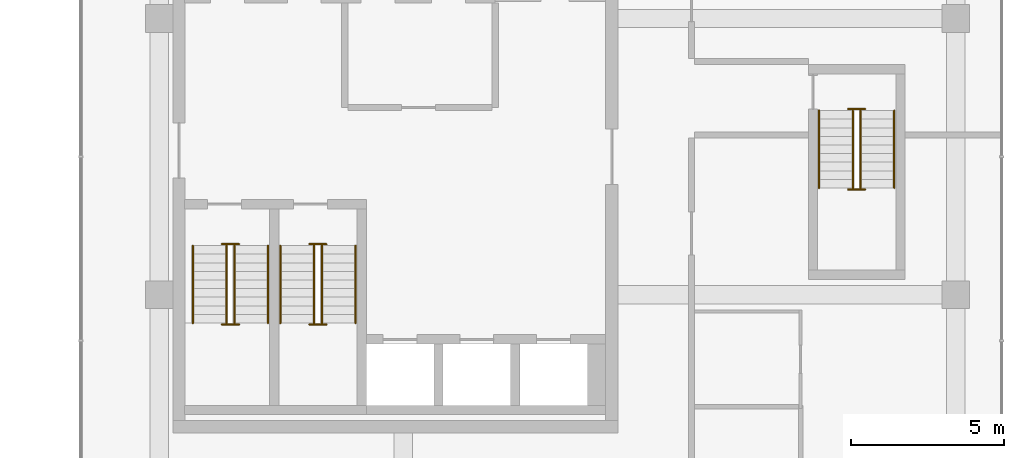
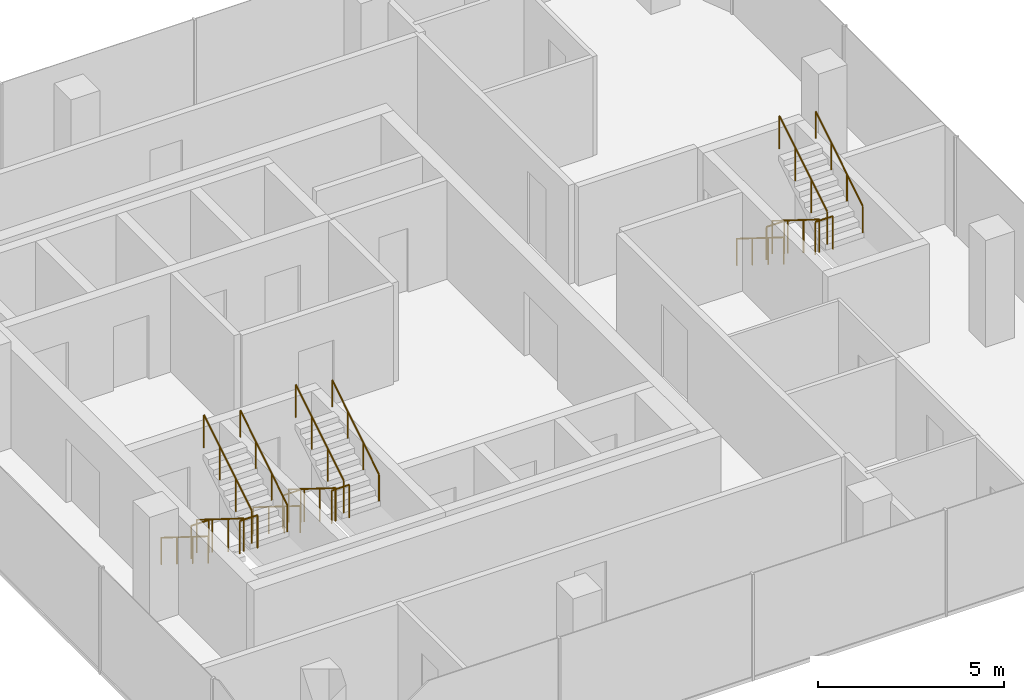
# One storey, part 22 of 22: 18 railings.
"""IFC4 building model written with IfcOpenShell, lengths in metres."""

from ifc_helpers import new_model, si_unit, direction, frame, origin, origin_2d, place, context, subcontext, project, spatial, circle, extrude, material, type_object, element, save


model = new_model("IFC4")

# Units and contexts
model_context = context("Model", 3, precision=1e-05, world=origin(), true_north=direction((0.0, 1.0)))
body_context = subcontext(model_context, "Body", "Model", "MODEL_VIEW")
ifc_project = project(units=[si_unit("LENGTHUNIT", "METRE"), si_unit("AREAUNIT", "SQUARE_METRE"), si_unit("VOLUMEUNIT", "CUBIC_METRE"), si_unit("PLANEANGLEUNIT", "RADIAN"), si_unit("MASSUNIT", "GRAM", prefix="KILO")], contexts=[model_context])

# Site, building, storey
site_placement = place(None, origin())
site = spatial("IfcSite", under=ifc_project, at=site_placement, CompositionType="ELEMENT")
building_placement = place(site_placement, origin())
building = spatial("IfcBuilding", under=site, at=building_placement, Name="Plateau Cross Towers", CompositionType="ELEMENT")
storey_placement = place(building_placement, frame((0.0, 0.0, 102.800048828125)))
storey = spatial("IfcBuildingStorey", under=building, at=storey_placement, Name="L26", CompositionType="ELEMENT", Elevation=102.800048828125)

# Railings
ifc_material_1 = material(Name="Stainless steel and toughened glass", Category="steel")
railing_type_1 = type_object("IfcRailingType", Name="RL-GUARD-1100", PredefinedType="GUARDRAIL", material=ifc_material_1)
railing_1_placement = place(storey_placement, frame((76.75, 6.10009765625, 0.175048828125)))
element("IfcRailing", 1, at=railing_1_placement, inside=storey, type_object=railing_type_1, Name="L26 SB-1 stair guard 1", PredefinedType="GUARDRAIL", context=body_context, shape_type="SweptSolid", body=[
    extrude(circle(Radius=0.02392578125, at=origin_2d()), frame((0.0, 0.0, 1.076171875), z_axis=(0.0, -0.848007534815, 0.529984170421), x_axis=(1.0, 0.0, 0.0)), (0.0, 0.0, 1.0), 2.9716796875),
    extrude(circle(Radius=0.02099609375, at=origin_2d()), origin(), (0.0, 0.0, 1.0), 1.052001953125),
    extrude(circle(Radius=0.02099609375, at=origin_2d()), frame((0.0, -0.840087890625, 0.52490234375)), (0.0, 0.0, 1.0), 1.052001953125),
    extrude(circle(Radius=0.02099609375, at=origin_2d()), frame((0.0, -1.679931640625, 1.050048828125)), (0.0, 0.0, 1.0), 1.052001953125),
    extrude(circle(Radius=0.02099609375, at=origin_2d()), frame((0.0, -2.52001953125, 1.574951171875)), (0.0, 0.0, 1.0), 1.052001953125),
])
railing_2_placement = place(storey_placement, frame((76.60009765625, 3.530029296875, 1.75)))
element("IfcRailing", 2, at=railing_2_placement, inside=storey, type_object=railing_type_1, Name="L26 SB-1 stair guard 2", PredefinedType="GUARDRAIL", context=body_context, shape_type="SweptSolid", body=[
    extrude(circle(Radius=0.02392578125, at=origin_2d()), frame((0.0, 0.0, 1.076171875), z_axis=(1.0, 0.0, 0.0), x_axis=(0.0, 1.0, 0.0)), (0.0, 0.0, 1.0), 0.5498046875),
    extrude(circle(Radius=0.02099609375, at=origin_2d()), origin(), (0.0, 0.0, 1.0), 1.052001953125),
    extrude(circle(Radius=0.02099609375, at=origin_2d()), frame((0.5498046875, 0.0, 0.0)), (0.0, 0.0, 1.0), 1.052001953125),
])
railing_3_placement = place(storey_placement, frame((77.0, 3.580078125, 1.925048828125)))
element("IfcRailing", 3, at=railing_3_placement, inside=storey, type_object=railing_type_1, Name="L26 SB-1 stair guard 3", PredefinedType="GUARDRAIL", context=body_context, shape_type="SweptSolid", body=[
    extrude(circle(Radius=0.02392578125, at=origin_2d()), frame((0.0, 0.0, 1.076171875), z_axis=(0.0, 0.852616386126, 0.522537365276), x_axis=(-1.0, 0.0, 0.0)), (0.0, 0.0, 1.0), 3.01416015625),
    extrude(circle(Radius=0.02099609375, at=origin_2d()), origin(), (0.0, 0.0, 1.0), 1.052001953125),
    extrude(circle(Radius=0.02099609375, at=origin_2d()), frame((0.0, 0.856689453125, 0.52490234375)), (0.0, 0.0, 1.0), 1.052001953125),
    extrude(circle(Radius=0.02099609375, at=origin_2d()), frame((0.0, 1.713134765625, 1.050048828125)), (0.0, 0.0, 1.0), 1.052001953125),
    extrude(circle(Radius=0.02099609375, at=origin_2d()), frame((0.0, 2.56982421875, 1.574951171875)), (0.0, 0.0, 1.0), 1.052001953125),
])
railing_4_placement = place(storey_placement, frame((76.60009765625, 6.14990234375, 0.0)))
element("IfcRailing", 4, at=railing_4_placement, inside=storey, type_object=railing_type_1, Name="L26 SB-1 stair guard 4", PredefinedType="GUARDRAIL", context=body_context, shape_type="SweptSolid", body=[
    extrude(circle(Radius=0.02392578125, at=origin_2d()), frame((0.0, 0.0, 1.076171875), z_axis=(1.0, 0.0, 0.0), x_axis=(0.0, 1.0, 0.0)), (0.0, 0.0, 1.0), 0.5498046875),
    extrude(circle(Radius=0.02099609375, at=origin_2d()), origin(), (0.0, 0.0, 1.0), 1.052001953125),
    extrude(circle(Radius=0.02099609375, at=origin_2d()), frame((0.5498046875, 0.0, 0.0)), (0.0, 0.0, 1.0), 1.052001953125),
])
railing_5_placement = place(storey_placement, frame((79.60009765625, 6.10009765625, 0.175048828125)))
element("IfcRailing", 5, at=railing_5_placement, inside=storey, type_object=railing_type_1, Name="L26 SB-2 stair guard 1", PredefinedType="GUARDRAIL", context=body_context, shape_type="SweptSolid", body=[
    extrude(circle(Radius=0.02392578125, at=origin_2d()), frame((0.0, 0.0, 1.076171875), z_axis=(0.0, -0.848007534815, 0.529984170421), x_axis=(1.0, 0.0, 0.0)), (0.0, 0.0, 1.0), 2.9716796875),
    extrude(circle(Radius=0.02099609375, at=origin_2d()), origin(), (0.0, 0.0, 1.0), 1.052001953125),
    extrude(circle(Radius=0.02099609375, at=origin_2d()), frame((0.0, -0.840087890625, 0.52490234375)), (0.0, 0.0, 1.0), 1.052001953125),
    extrude(circle(Radius=0.02099609375, at=origin_2d()), frame((0.0, -1.679931640625, 1.050048828125)), (0.0, 0.0, 1.0), 1.052001953125),
    extrude(circle(Radius=0.02099609375, at=origin_2d()), frame((0.0, -2.52001953125, 1.574951171875)), (0.0, 0.0, 1.0), 1.052001953125),
])
railing_6_placement = place(storey_placement, frame((79.449951171875, 3.530029296875, 1.75)))
element("IfcRailing", 6, at=railing_6_placement, inside=storey, type_object=railing_type_1, Name="L26 SB-2 stair guard 2", PredefinedType="GUARDRAIL", context=body_context, shape_type="SweptSolid", body=[
    extrude(circle(Radius=0.02392578125, at=origin_2d()), frame((0.0, 0.0, 1.076171875), z_axis=(1.0, 0.0, 0.0), x_axis=(0.0, 1.0, 0.0)), (0.0, 0.0, 1.0), 0.550048828125),
    extrude(circle(Radius=0.02099609375, at=origin_2d()), origin(), (0.0, 0.0, 1.0), 1.052001953125),
    extrude(circle(Radius=0.02099609375, at=origin_2d()), frame((0.550048828125, 0.0, 0.0)), (0.0, 0.0, 1.0), 1.052001953125),
])
railing_7_placement = place(storey_placement, frame((79.85009765625, 3.580078125, 1.925048828125)))
element("IfcRailing", 7, at=railing_7_placement, inside=storey, type_object=railing_type_1, Name="L26 SB-2 stair guard 3", PredefinedType="GUARDRAIL", context=body_context, shape_type="SweptSolid", body=[
    extrude(circle(Radius=0.02392578125, at=origin_2d()), frame((0.0, 0.0, 1.076171875), z_axis=(0.0, 0.852616386126, 0.522537365276), x_axis=(-1.0, 0.0, 0.0)), (0.0, 0.0, 1.0), 3.01416015625),
    extrude(circle(Radius=0.02099609375, at=origin_2d()), origin(), (0.0, 0.0, 1.0), 1.052001953125),
    extrude(circle(Radius=0.02099609375, at=origin_2d()), frame((0.0, 0.856689453125, 0.52490234375)), (0.0, 0.0, 1.0), 1.052001953125),
    extrude(circle(Radius=0.02099609375, at=origin_2d()), frame((0.0, 1.713134765625, 1.050048828125)), (0.0, 0.0, 1.0), 1.052001953125),
    extrude(circle(Radius=0.02099609375, at=origin_2d()), frame((0.0, 2.56982421875, 1.574951171875)), (0.0, 0.0, 1.0), 1.052001953125),
])
railing_8_placement = place(storey_placement, frame((79.449951171875, 6.14990234375, 0.0)))
element("IfcRailing", 8, at=railing_8_placement, inside=storey, type_object=railing_type_1, Name="L26 SB-2 stair guard 4", PredefinedType="GUARDRAIL", context=body_context, shape_type="SweptSolid", body=[
    extrude(circle(Radius=0.02392578125, at=origin_2d()), frame((0.0, 0.0, 1.076171875), z_axis=(1.0, 0.0, 0.0), x_axis=(0.0, 1.0, 0.0)), (0.0, 0.0, 1.0), 0.550048828125),
    extrude(circle(Radius=0.02099609375, at=origin_2d()), origin(), (0.0, 0.0, 1.0), 1.052001953125),
    extrude(circle(Radius=0.02099609375, at=origin_2d()), frame((0.550048828125, 0.0, 0.0)), (0.0, 0.0, 1.0), 1.052001953125),
])
railing_9_placement = place(storey_placement, frame((97.14990234375, 10.5, 0.175048828125)))
element("IfcRailing", 9, at=railing_9_placement, inside=storey, type_object=railing_type_1, Name="L26 SB-3 stair guard 1", PredefinedType="GUARDRAIL", context=body_context, shape_type="SweptSolid", body=[
    extrude(circle(Radius=0.02392578125, at=origin_2d()), frame((0.0, 0.0, 1.076171875), z_axis=(0.0, -0.848007534815, 0.529984170421), x_axis=(1.0, 0.0, 0.0)), (0.0, 0.0, 1.0), 2.9716796875),
    extrude(circle(Radius=0.02099609375, at=origin_2d()), origin(), (0.0, 0.0, 1.0), 1.052001953125),
    extrude(circle(Radius=0.02099609375, at=origin_2d()), frame((0.0, -0.840087890625, 0.52490234375)), (0.0, 0.0, 1.0), 1.052001953125),
    extrude(circle(Radius=0.02099609375, at=origin_2d()), frame((0.0, -1.679931640625, 1.050048828125)), (0.0, 0.0, 1.0), 1.052001953125),
    extrude(circle(Radius=0.02099609375, at=origin_2d()), frame((0.0, -2.52001953125, 1.574951171875)), (0.0, 0.0, 1.0), 1.052001953125),
])
railing_10_placement = place(storey_placement, frame((97.0, 7.929931640625, 1.75)))
element("IfcRailing", 10, at=railing_10_placement, inside=storey, type_object=railing_type_1, Name="L26 SB-3 stair guard 2", PredefinedType="GUARDRAIL", context=body_context, shape_type="SweptSolid", body=[
    extrude(circle(Radius=0.02392578125, at=origin_2d()), frame((0.0, 0.0, 1.076171875), z_axis=(1.0, 0.0, 0.0), x_axis=(0.0, 1.0, 0.0)), (0.0, 0.0, 1.0), 0.550048828125),
    extrude(circle(Radius=0.02099609375, at=origin_2d()), origin(), (0.0, 0.0, 1.0), 1.052001953125),
    extrude(circle(Radius=0.02099609375, at=origin_2d()), frame((0.550048828125, 0.0, 0.0)), (0.0, 0.0, 1.0), 1.052001953125),
])
railing_11_placement = place(storey_placement, frame((97.39990234375, 7.97998046875, 1.925048828125)))
element("IfcRailing", 11, at=railing_11_placement, inside=storey, type_object=railing_type_1, Name="L26 SB-3 stair guard 3", PredefinedType="GUARDRAIL", context=body_context, shape_type="SweptSolid", body=[
    extrude(circle(Radius=0.02392578125, at=origin_2d()), frame((0.0, 0.0, 1.076171875), z_axis=(0.0, 0.852638500773, 0.522501279423), x_axis=(-1.0, 0.0, 0.0)), (0.0, 0.0, 1.0), 3.01416015625),
    extrude(circle(Radius=0.02099609375, at=origin_2d()), origin(), (0.0, 0.0, 1.0), 1.052001953125),
    extrude(circle(Radius=0.02099609375, at=origin_2d()), frame((0.0, 0.856689453125, 0.52490234375)), (0.0, 0.0, 1.0), 1.052001953125),
    extrude(circle(Radius=0.02099609375, at=origin_2d()), frame((0.0, 1.71337890625, 1.050048828125)), (0.0, 0.0, 1.0), 1.052001953125),
    extrude(circle(Radius=0.02099609375, at=origin_2d()), frame((0.0, 2.570068359375, 1.574951171875)), (0.0, 0.0, 1.0), 1.052001953125),
])
railing_12_placement = place(storey_placement, frame((97.0, 10.550048828125, 0.0)))
element("IfcRailing", 12, at=railing_12_placement, inside=storey, type_object=railing_type_1, Name="L26 SB-3 stair guard 4", PredefinedType="GUARDRAIL", context=body_context, shape_type="SweptSolid", body=[
    extrude(circle(Radius=0.02392578125, at=origin_2d()), frame((0.0, 0.0, 1.076171875), z_axis=(1.0, 0.0, 0.0), x_axis=(0.0, 1.0, 0.0)), (0.0, 0.0, 1.0), 0.550048828125),
    extrude(circle(Radius=0.02099609375, at=origin_2d()), origin(), (0.0, 0.0, 1.0), 1.052001953125),
    extrude(circle(Radius=0.02099609375, at=origin_2d()), frame((0.550048828125, 0.0, 0.0)), (0.0, 0.0, 1.0), 1.052001953125),
])
ifc_material_2 = material(Name="Black anodised aluminium", Category="aluminium")
railing_type_2 = type_object("IfcRailingType", Name="RL-HANDRAIL-900", PredefinedType="HANDRAIL", material=ifc_material_2)
railing_13_placement = place(storey_placement, frame((75.64990234375, 6.10009765625, 0.175048828125)))
element("IfcRailing", 13, at=railing_13_placement, inside=storey, type_object=railing_type_2, Name="L26 SB-1 stair handrail 1", PredefinedType="HANDRAIL", context=body_context, shape_type="SweptSolid", body=[
    extrude(circle(Radius=0.02392578125, at=origin_2d()), frame((0.0, 0.0, 0.8759765625), z_axis=(0.0, -0.848007534815, 0.529984170421), x_axis=(1.0, 0.0, 0.0)), (0.0, 0.0, 1.0), 2.9716796875),
    extrude(circle(Radius=0.02099609375, at=origin_2d()), origin(), (0.0, 0.0, 1.0), 0.851806640625),
    extrude(circle(Radius=0.02099609375, at=origin_2d()), frame((0.0, -0.840087890625, 0.52490234375)), (0.0, 0.0, 1.0), 0.851806640625),
    extrude(circle(Radius=0.02099609375, at=origin_2d()), frame((0.0, -1.679931640625, 1.050048828125)), (0.0, 0.0, 1.0), 0.851806640625),
    extrude(circle(Radius=0.02099609375, at=origin_2d()), frame((0.0, -2.52001953125, 1.574951171875)), (0.0, 0.0, 1.0), 0.851806640625),
])
railing_14_placement = place(storey_placement, frame((78.10009765625, 3.580078125, 1.925048828125)))
element("IfcRailing", 14, at=railing_14_placement, inside=storey, type_object=railing_type_2, Name="L26 SB-1 stair handrail 2", PredefinedType="HANDRAIL", context=body_context, shape_type="SweptSolid", body=[
    extrude(circle(Radius=0.02392578125, at=origin_2d()), frame((0.0, 0.0, 0.8759765625), z_axis=(0.0, 0.848007534815, 0.529984170421), x_axis=(-1.0, 0.0, 0.0)), (0.0, 0.0, 1.0), 2.9716796875),
    extrude(circle(Radius=0.02099609375, at=origin_2d()), origin(), (0.0, 0.0, 1.0), 0.851806640625),
    extrude(circle(Radius=0.02099609375, at=origin_2d()), frame((0.0, 0.840087890625, 0.52490234375)), (0.0, 0.0, 1.0), 0.851806640625),
    extrude(circle(Radius=0.02099609375, at=origin_2d()), frame((0.0, 1.679931640625, 1.050048828125)), (0.0, 0.0, 1.0), 0.851806640625),
    extrude(circle(Radius=0.02099609375, at=origin_2d()), frame((0.0, 2.52001953125, 1.574951171875)), (0.0, 0.0, 1.0), 0.851806640625),
])
railing_15_placement = place(storey_placement, frame((78.5, 6.10009765625, 0.175048828125)))
element("IfcRailing", 15, at=railing_15_placement, inside=storey, type_object=railing_type_2, Name="L26 SB-2 stair handrail 1", PredefinedType="HANDRAIL", context=body_context, shape_type="SweptSolid", body=[
    extrude(circle(Radius=0.02392578125, at=origin_2d()), frame((0.0, 0.0, 0.8759765625), z_axis=(0.0, -0.848007534815, 0.529984170421), x_axis=(1.0, 0.0, 0.0)), (0.0, 0.0, 1.0), 2.9716796875),
    extrude(circle(Radius=0.02099609375, at=origin_2d()), origin(), (0.0, 0.0, 1.0), 0.851806640625),
    extrude(circle(Radius=0.02099609375, at=origin_2d()), frame((0.0, -0.840087890625, 0.52490234375)), (0.0, 0.0, 1.0), 0.851806640625),
    extrude(circle(Radius=0.02099609375, at=origin_2d()), frame((0.0, -1.679931640625, 1.050048828125)), (0.0, 0.0, 1.0), 0.851806640625),
    extrude(circle(Radius=0.02099609375, at=origin_2d()), frame((0.0, -2.52001953125, 1.574951171875)), (0.0, 0.0, 1.0), 0.851806640625),
])
railing_16_placement = place(storey_placement, frame((80.949951171875, 3.580078125, 1.925048828125)))
element("IfcRailing", 16, at=railing_16_placement, inside=storey, type_object=railing_type_2, Name="L26 SB-2 stair handrail 2", PredefinedType="HANDRAIL", context=body_context, shape_type="SweptSolid", body=[
    extrude(circle(Radius=0.02392578125, at=origin_2d()), frame((0.0, 0.0, 0.8759765625), z_axis=(0.0, 0.848007534815, 0.529984170421), x_axis=(-1.0, 0.0, 0.0)), (0.0, 0.0, 1.0), 2.9716796875),
    extrude(circle(Radius=0.02099609375, at=origin_2d()), origin(), (0.0, 0.0, 1.0), 0.851806640625),
    extrude(circle(Radius=0.02099609375, at=origin_2d()), frame((0.0, 0.840087890625, 0.52490234375)), (0.0, 0.0, 1.0), 0.851806640625),
    extrude(circle(Radius=0.02099609375, at=origin_2d()), frame((0.0, 1.679931640625, 1.050048828125)), (0.0, 0.0, 1.0), 0.851806640625),
    extrude(circle(Radius=0.02099609375, at=origin_2d()), frame((0.0, 2.52001953125, 1.574951171875)), (0.0, 0.0, 1.0), 0.851806640625),
])
railing_17_placement = place(storey_placement, frame((96.050048828125, 10.5, 0.175048828125)))
element("IfcRailing", 17, at=railing_17_placement, inside=storey, type_object=railing_type_2, Name="L26 SB-3 stair handrail 1", PredefinedType="HANDRAIL", context=body_context, shape_type="SweptSolid", body=[
    extrude(circle(Radius=0.02392578125, at=origin_2d()), frame((0.0, 0.0, 0.8759765625), z_axis=(0.0, -0.848007534815, 0.529984170421), x_axis=(1.0, 0.0, 0.0)), (0.0, 0.0, 1.0), 2.9716796875),
    extrude(circle(Radius=0.02099609375, at=origin_2d()), origin(), (0.0, 0.0, 1.0), 0.851806640625),
    extrude(circle(Radius=0.02099609375, at=origin_2d()), frame((0.0, -0.840087890625, 0.52490234375)), (0.0, 0.0, 1.0), 0.851806640625),
    extrude(circle(Radius=0.02099609375, at=origin_2d()), frame((0.0, -1.679931640625, 1.050048828125)), (0.0, 0.0, 1.0), 0.851806640625),
    extrude(circle(Radius=0.02099609375, at=origin_2d()), frame((0.0, -2.52001953125, 1.574951171875)), (0.0, 0.0, 1.0), 0.851806640625),
])
railing_18_placement = place(storey_placement, frame((98.5, 7.97998046875, 1.925048828125)))
element("IfcRailing", 18, at=railing_18_placement, inside=storey, type_object=railing_type_2, Name="L26 SB-3 stair handrail 2", PredefinedType="HANDRAIL", context=body_context, shape_type="SweptSolid", body=[
    extrude(circle(Radius=0.02392578125, at=origin_2d()), frame((0.0, 0.0, 0.8759765625), z_axis=(0.0, 0.848007534815, 0.529984170421), x_axis=(-1.0, 0.0, 0.0)), (0.0, 0.0, 1.0), 2.9716796875),
    extrude(circle(Radius=0.02099609375, at=origin_2d()), origin(), (0.0, 0.0, 1.0), 0.851806640625),
    extrude(circle(Radius=0.02099609375, at=origin_2d()), frame((0.0, 0.840087890625, 0.52490234375)), (0.0, 0.0, 1.0), 0.851806640625),
    extrude(circle(Radius=0.02099609375, at=origin_2d()), frame((0.0, 1.679931640625, 1.050048828125)), (0.0, 0.0, 1.0), 0.851806640625),
    extrude(circle(Radius=0.02099609375, at=origin_2d()), frame((0.0, 2.52001953125, 1.574951171875)), (0.0, 0.0, 1.0), 0.851806640625),
])

save(model, "model.ifc")
